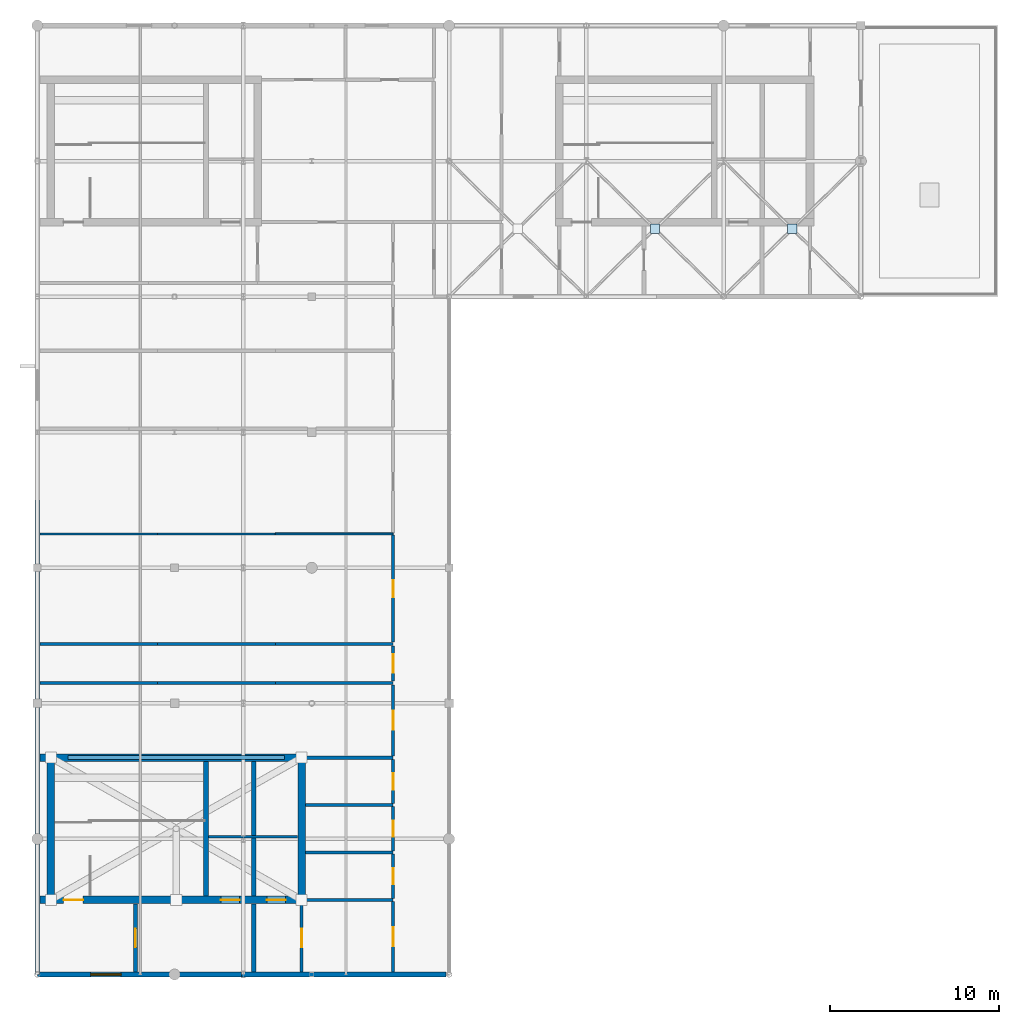
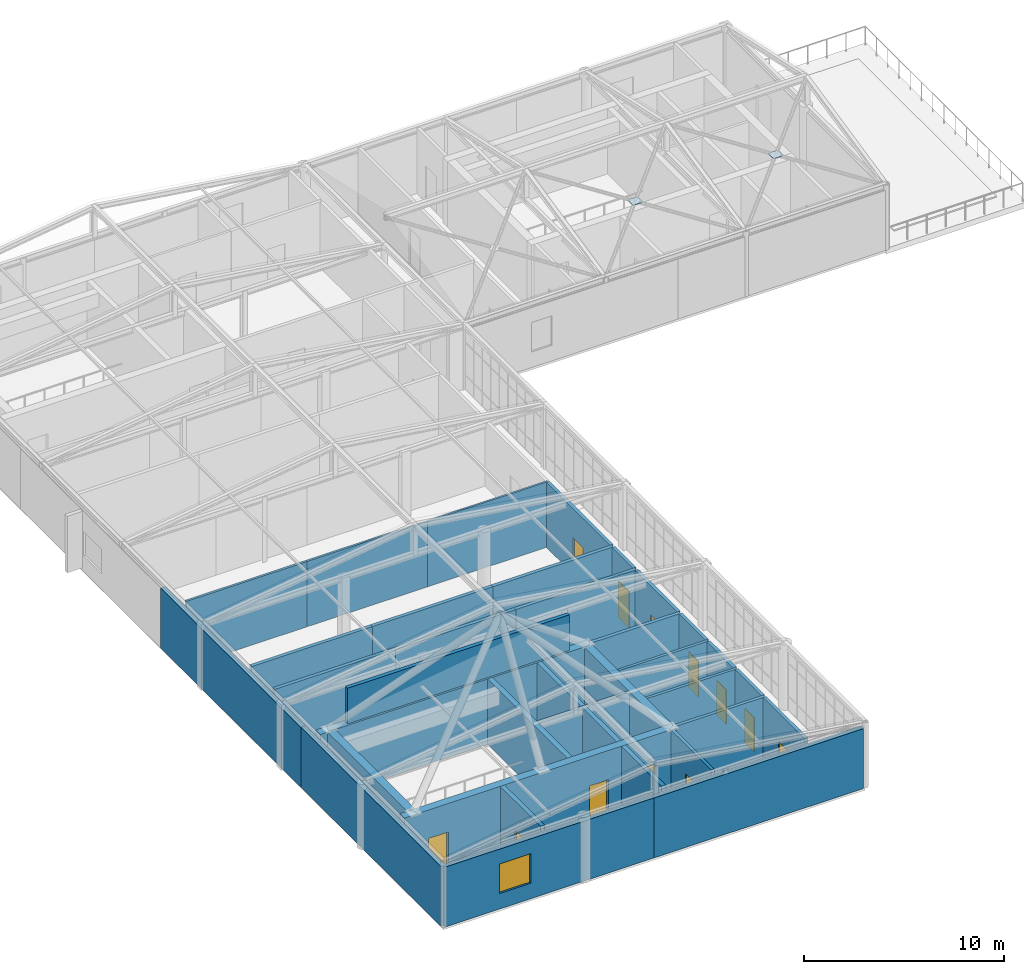
# One storey, part 18 of 21: 35 walls, 12 doors, 2 plates, 1 window, 13 openings.
"""IFC4 building model written with IfcOpenShell, lengths in metres."""

from ifc_helpers import new_model, si_unit, direction, frame, frame_2d, origin, origin_2d, place, context, subcontext, project, spatial, rectangle, extrude, material, layer, layer_set, type_object, element, fill, save


model = new_model("IFC4")

# Units and contexts
model_context = context("Model", 3, precision=1e-05, world=origin(), true_north=direction((0.0, 1.0)))
body_context = subcontext(model_context, "Body", "Model", "MODEL_VIEW")
ifc_project = project(units=[si_unit("LENGTHUNIT", "METRE"), si_unit("AREAUNIT", "SQUARE_METRE"), si_unit("VOLUMEUNIT", "CUBIC_METRE"), si_unit("PLANEANGLEUNIT", "RADIAN"), si_unit("MASSUNIT", "GRAM", prefix="KILO")], contexts=[model_context])

# Site, building, storey
site_placement = place(None, origin())
site = spatial("IfcSite", under=ifc_project, at=site_placement, CompositionType="ELEMENT")
building_placement = place(site_placement, origin())
building = spatial("IfcBuilding", under=site, at=building_placement, Name="Tarnveldt Square Police Headquarters", CompositionType="ELEMENT")
storey_placement = place(building_placement, frame((0.0, 0.0, 33.300048828125)))
storey = spatial("IfcBuildingStorey", under=building, at=storey_placement, Name="L07", CompositionType="ELEMENT", Elevation=33.300048828125)

# Plates
ifc_material_1 = material(Name="Steel 350W", Category="steel")
ifc_layer_1 = layer(ifc_material_1, 0.031982421875)
ifc_layer_set_1 = layer_set([ifc_layer_1], Name="Steel 350W")
plate_type = type_object("IfcPlateType", Name="PLT-GUS-32", PredefinedType="SHEET", material=ifc_layer_set_1)
for number, where, z_axis, x_axis, name in (
    (1, (52.64990234375, 100.0, 4.69384765625), (0.0, 0.0, 1.0), (1.0, 0.0, 0.0), "L07 Roof Wind Brace Crossing Gusset Plate 2"),
    (2, (60.75, 100.0, 4.69384765625), (0.0, 0.0, 1.0), (1.0, 0.0, 0.0), "L07 Roof Wind Brace Crossing Gusset Plate 3"),
):
    element("IfcPlate", number, at=place(storey_placement, frame(where, z_axis=z_axis, x_axis=x_axis)), inside=storey, type_object=plate_type, Name=name, PredefinedType="SHEET", context=body_context, shape_type="SweptSolid", body=[
        extrude(rectangle(XDim=0.550048828125, YDim=0.550048828125, at=origin_2d()), origin(), (0.0, 0.0, 1.0), 0.031982421875),
    ])

# Walls
ifc_material_2 = material(Name="Fire-rated Type X gypsum board on steel studs", Category="steel")
ifc_layer_2 = layer(ifc_material_2, 0.199951171875)
ifc_layer_set_2 = layer_set([ifc_layer_2], Name="Fire-rated Type X gypsum board on steel studs")
wall_type_1 = type_object("IfcWallType", Name="WL-ACOUST-200", PredefinedType="PARTITIONING", material=ifc_layer_set_2)
for number, where, z_axis, x_axis, name in (
    (3, (16.347900390625, 73.199951171875, 0.0), (0.0, 0.0, 1.0), (1.0, 0.0, 0.0), "L07 Interior Partition Wall 0722"),
    (4, (23.298583984375, 73.199951171875, 0.0), (0.0, 0.0, 1.0), (1.0, 0.0, 0.0), "L07 Interior Partition Wall 0723"),
    (5, (30.249267578125, 73.199951171875, 0.0), (0.0, 0.0, 1.0), (1.0, 0.0, 0.0), "L07 Interior Partition Wall 0724"),
    (6, (16.347900390625, 75.5, 0.0), (0.0, 0.0, 1.0), (1.0, 0.0, 0.0), "L07 Interior Partition Wall 0725"),
    (7, (23.298583984375, 75.5, 0.0), (0.0, 0.0, 1.0), (1.0, 0.0, 0.0), "L07 Interior Partition Wall 0726"),
    (8, (30.249267578125, 75.5, 0.0), (0.0, 0.0, 1.0), (1.0, 0.0, 0.0), "L07 Interior Partition Wall 0727"),
):
    element("IfcWall", number, at=place(storey_placement, frame(where, z_axis=z_axis, x_axis=x_axis)), inside=storey, type_object=wall_type_1, Name=name, PredefinedType="PARTITIONING", context=body_context, shape_type="SweptSolid", body=[
        extrude(rectangle(XDim=6.95068359375, YDim=0.199951171875, at=frame_2d((3.475341796875, 0.0))), origin(), (0.0, 0.0, 1.0), 3.97998046875),
    ])
wall_1_placement = place(storey_placement, frame((32.02490234375, 68.800048828125, 0.0), z_axis=(0.0, 0.0, 1.0), x_axis=(1.0, 0.0, 0.0)))
element("IfcWall", 9, at=wall_1_placement, inside=storey, type_object=wall_type_1, Name="L07 Interior Partition Wall 0746", PredefinedType="PARTITIONING", context=body_context, shape_type="SweptSolid", body=[
    extrude(rectangle(XDim=5.175048828125, YDim=0.199951171875, at=frame_2d((2.58740234375, 0.0))), origin(), (0.0, 0.0, 1.0), 3.97998046875),
])

# Wall, openings, doors
ifc_material_3 = material(Name="Concrete 50 MPa", Category="concrete")
ifc_layer_3 = layer(ifc_material_3, 0.449951171875)
ifc_layer_set_3 = layer_set([ifc_layer_3], Name="Concrete 50 MPa")
wall_type_2 = type_object("IfcWallType", Name="WL-CORE-450", PredefinedType="SHEAR", material=ifc_layer_set_3)
wall_2_placement = place(storey_placement, frame((16.360107421875, 60.39990234375, 0.0), z_axis=(0.0, 0.0, 1.0), x_axis=(1.0, 0.0, 0.0)))
wall_2 = element("IfcWall", 10, at=wall_2_placement, inside=storey, type_object=wall_type_2, Name="Core K1 South-West Command and Firefighting Core L07 South Shear Wall", PredefinedType="SHEAR", context=body_context, shape_type="SweptSolid", body=[
    extrude(rectangle(XDim=15.664794921875, YDim=0.449951171875, at=frame_2d((7.83251953125, 0.0))), origin(), (0.0, 0.0, 1.0), 3.97998046875),
])
opening_1_placement = place(wall_2_placement, frame((1.389892578125, 0.0, 0.0)))
opening_1 = element("IfcOpeningElement", 11, at=opening_1_placement, cuts=wall_2, Name="Opening D-ST1-L07", PredefinedType="OPENING", context=body_context, shape_type="SweptSolid", body=[
    extrude(rectangle(XDim=1.14990234375, YDim=2.25, at=frame_2d((0.574951171875, 1.125))), frame((0.0, 0.23486328125, 0.0), z_axis=(0.0, -1.0, 0.0), x_axis=(1.0, 0.0, 0.0)), (0.0, 0.0, 1.0), 0.469970703125),
])
opening_2_placement = place(wall_2_placement, frame((10.672607421875, 0.0, 0.0)))
opening_2 = element("IfcOpeningElement", 12, at=opening_2_placement, cuts=wall_2, Name="Opening LD-LF1-L07", PredefinedType="OPENING", context=body_context, shape_type="SweptSolid", body=[
    extrude(rectangle(XDim=1.10009765625, YDim=2.199951171875, at=frame_2d((0.550048828125, 1.10009765625))), frame((0.0, 0.23486328125, 0.0), z_axis=(0.0, -1.0, 0.0), x_axis=(1.0, 0.0, 0.0)), (0.0, 0.0, 1.0), 0.469970703125),
])
opening_3_placement = place(wall_2_placement, frame((13.387451171875, 0.0, 0.0)))
opening_3 = element("IfcOpeningElement", 13, at=opening_3_placement, cuts=wall_2, Name="Opening LD-LP1-L07", PredefinedType="OPENING", context=body_context, shape_type="SweptSolid", body=[
    extrude(rectangle(XDim=1.10009765625, YDim=2.199951171875, at=frame_2d((0.550048828125, 1.10009765625))), frame((0.0, 0.23486328125, 0.0), z_axis=(0.0, -1.0, 0.0), x_axis=(1.0, 0.0, 0.0)), (0.0, 0.0, 1.0), 0.469970703125),
])
ifc_material_4 = material(Name="Insulated hollow metal steel door leaf", Category="steel")
door_type_1 = type_object("IfcDoorType", Name="DR-FD90-1150", OperationType="NOTDEFINED", PredefinedType="DOOR", material=ifc_material_4)
door_1_placement = place(opening_1_placement, origin())
door_1 = element("IfcDoor", 14, at=door_1_placement, inside=storey, type_object=door_type_1, Name="Exit Stair ST1 L07 Fire Door", OperationType="SINGLE_SWING_LEFT", OverallHeight=2.25, OverallWidth=1.14990234375, PredefinedType="DOOR", context=body_context, shape_type="SweptSolid", body=[
    extrude(rectangle(XDim=1.14990234375, YDim=2.25, at=frame_2d((0.574951171875, 1.125))), frame((0.0, 0.02490234375, 0.0), z_axis=(0.0, -1.0, 0.0), x_axis=(1.0, 0.0, 0.0)), (0.0, 0.0, 1.0), 0.050048828125),
])
fill(opening_1, door_1)
door_type_2 = type_object("IfcDoorType", Name="DR-LD-1100", OperationType="DOUBLE_DOOR_SLIDING", PredefinedType="DOOR", material=ifc_material_1)
door_2_placement = place(opening_2_placement, frame((1.10009765625, 0.0, 0.0), z_axis=(0.0, 0.0, 1.0), x_axis=(-1.0, 0.0, 0.0)))
door_2 = element("IfcDoor", 15, at=door_2_placement, inside=storey, type_object=door_type_2, Name="Elevator LF1 L07 Sliding Landing Door", OperationType="DOUBLE_DOOR_SLIDING", OverallHeight=2.199951171875, OverallWidth=1.10009765625, PredefinedType="DOOR", context=body_context, shape_type="SweptSolid", body=[
    extrude(rectangle(XDim=1.10009765625, YDim=2.199951171875, at=frame_2d((0.550048828125, 1.10009765625))), frame((0.0, 0.02490234375, 0.0), z_axis=(0.0, -1.0, 0.0), x_axis=(1.0, 0.0, 0.0)), (0.0, 0.0, 1.0), 0.050048828125),
])
fill(opening_2, door_2)
door_3_placement = place(opening_3_placement, frame((1.10009765625, 0.0, 0.0), z_axis=(0.0, 0.0, 1.0), x_axis=(-1.0, 0.0, 0.0)))
door_3 = element("IfcDoor", 16, at=door_3_placement, inside=storey, type_object=door_type_2, Name="Elevator LP1 L07 Sliding Landing Door", OperationType="DOUBLE_DOOR_SLIDING", OverallHeight=2.199951171875, OverallWidth=1.10009765625, PredefinedType="DOOR", context=body_context, shape_type="SweptSolid", body=[
    extrude(rectangle(XDim=1.10009765625, YDim=2.199951171875, at=frame_2d((0.550048828125, 1.10009765625))), frame((0.0, 0.02490234375, 0.0), z_axis=(0.0, -1.0, 0.0), x_axis=(1.0, 0.0, 0.0)), (0.0, 0.0, 1.0), 0.050048828125),
])
fill(opening_3, door_3)

# Walls
wall_3_placement = place(storey_placement, frame((16.360107421875, 68.800048828125, 0.0), z_axis=(0.0, 0.0, 1.0), x_axis=(1.0, 0.0, 0.0)))
element("IfcWall", 17, at=wall_3_placement, inside=storey, type_object=wall_type_2, Name="Core K1 South-West Command and Firefighting Core L07 North Shear Wall", PredefinedType="SHEAR", context=body_context, shape_type="SweptSolid", body=[
    extrude(rectangle(XDim=15.664794921875, YDim=0.449951171875, at=frame_2d((7.83251953125, 0.0))), origin(), (0.0, 0.0, 1.0), 3.97998046875),
])
for number, where, z_axis, x_axis, name in (
    (18, (17.0, 60.625, 0.0), (0.0, 0.0, 1.0), (0.0, 1.0, 0.0), "Core K1 South-West Command and Firefighting Core L07 West Shear Wall"),
    (19, (31.800048828125, 60.625, 0.0), (0.0, 0.0, 1.0), (0.0, 1.0, 0.0), "Core K1 South-West Command and Firefighting Core L07 East Shear Wall"),
):
    element("IfcWall", number, at=place(storey_placement, frame(where, z_axis=z_axis, x_axis=x_axis)), inside=storey, type_object=wall_type_2, Name=name, PredefinedType="SHEAR", context=body_context, shape_type="SweptSolid", body=[
        extrude(rectangle(XDim=7.949951171875, YDim=0.449951171875, at=frame_2d((3.97509765625, 0.0))), origin(), (0.0, 0.0, 1.0), 3.97998046875),
    ])
wall_4_placement = place(storey_placement, frame((26.14990234375, 60.625, 0.0), z_axis=(0.0, 0.0, 1.0), x_axis=(0.0, 1.0, 0.0)))
element("IfcWall", 20, at=wall_4_placement, inside=storey, type_object=wall_type_2, Name="Core K1 South-West Command and Firefighting Core L07 Stair-Lift Divider Shear Wall", PredefinedType="SHEAR", context=body_context, shape_type="SweptSolid", body=[
    extrude(rectangle(XDim=7.949951171875, YDim=0.300048828125, at=frame_2d((3.97509765625, 0.0))), origin(), (0.0, 0.0, 1.0), 3.97998046875),
])
wall_5_placement = place(storey_placement, frame((28.97509765625, 60.625, 0.0), z_axis=(0.0, 0.0, 1.0), x_axis=(0.0, 1.0, 0.0)))
element("IfcWall", 21, at=wall_5_placement, inside=storey, type_object=wall_type_2, Name="Core K1 South-West Command and Firefighting Core L07 Dual-Lift Shaft Divider Wall", PredefinedType="SHEAR", context=body_context, shape_type="SweptSolid", body=[
    extrude(rectangle(XDim=7.949951171875, YDim=0.25, at=frame_2d((3.97509765625, 0.0))), origin(), (0.0, 0.0, 1.0), 3.97998046875),
])
ifc_material_5 = material(Name="Precast concrete 35 MPa", Category="concrete")
ifc_layer_4 = layer(ifc_material_5, 0.280029296875)
ifc_layer_set_4 = layer_set([ifc_layer_4], Name="Precast concrete 35 MPa")
wall_type_3 = type_object("IfcWallType", Name="WL-EXT-PC280", PredefinedType="SOLIDWALL", material=ifc_layer_set_4)
for number, where, z_axis, x_axis, name in (
    (22, (16.199951171875, 84.0, 0.0), (0.0, 0.0, 1.0), (0.0, -1.0, 0.0), "L07 Brutalist Exterior Wall 0253"),
    (23, (16.199951171875, 70.0, 0.0), (0.0, 0.0, 1.0), (0.0, -1.0, 0.0), "L07 Brutalist Exterior Wall 0254"),
):
    element("IfcWall", number, at=place(storey_placement, frame(where, z_axis=z_axis, x_axis=x_axis)), inside=storey, type_object=wall_type_3, Name=name, PredefinedType="SOLIDWALL", context=body_context, shape_type="SweptSolid", body=[
        extrude(rectangle(XDim=14.0, YDim=0.280029296875, at=frame_2d((7.0, 0.0))), origin(), (0.0, 0.0, 1.0), 3.655029296875),
    ])

# Wall, opening, window
wall_6_placement = place(storey_placement, frame((16.199951171875, 56.0, 0.0), z_axis=(0.0, 0.0, 1.0), x_axis=(1.0, 0.0, 0.0)))
wall_6 = element("IfcWall", 24, at=wall_6_placement, inside=storey, type_object=wall_type_3, Name="L07 Brutalist Exterior Wall 0255", PredefinedType="SOLIDWALL", context=body_context, shape_type="SweptSolid", body=[
    extrude(rectangle(XDim=12.06005859375, YDim=0.280029296875, at=frame_2d((6.030029296875, 0.0))), origin(), (0.0, 0.0, 1.0), 3.655029296875),
])
opening_4_placement = place(wall_6_placement, frame((3.14990234375, 0.0, 0.949951171875)))
opening_4 = element("IfcOpeningElement", 25, at=opening_4_placement, cuts=wall_6, Name="Opening W09", PredefinedType="OPENING", context=body_context, shape_type="SweptSolid", body=[
    extrude(rectangle(XDim=1.800048828125, YDim=1.800048828125, at=frame_2d((0.89990234375, 0.89990234375))), frame((0.0, 0.14990234375, 0.0), z_axis=(0.0, -1.0, 0.0), x_axis=(1.0, 0.0, 0.0)), (0.0, 0.0, 1.0), 0.300048828125),
])
ifc_material_6 = material(Name="Triple-glazed low-e laminated vision glass", Category="glass")
window_type = type_object("IfcWindowType", Name="WIN-DR-180x180", PartitioningType="DOUBLE_PANEL_VERTICAL", PredefinedType="WINDOW", material=ifc_material_6)
window_placement = place(opening_4_placement, origin())
window = element("IfcWindow", 26, at=window_placement, inside=storey, type_object=window_type, Name="L07 Deep-Reveal Brutalist Window 0129", OverallHeight=1.800048828125, OverallWidth=1.800048828125, PartitioningType="DOUBLE_PANEL_VERTICAL", PredefinedType="WINDOW", context=body_context, shape_type="SweptSolid", body=[
    extrude(rectangle(XDim=1.800048828125, YDim=1.800048828125, at=frame_2d((0.89990234375, 0.89990234375))), frame((0.0, 0.030029296875, 0.0), z_axis=(0.0, -1.0, 0.0), x_axis=(1.0, 0.0, 0.0)), (0.0, 0.0, 1.0), 0.06005859375),
])
fill(opening_4, window)

# Walls
wall_7_placement = place(storey_placement, frame((28.260009765625, 56.0, 0.0), z_axis=(0.0, 0.0, 1.0), x_axis=(1.0, 0.0, 0.0)))
element("IfcWall", 27, at=wall_7_placement, inside=storey, type_object=wall_type_3, Name="L07 Brutalist Exterior Wall 0256", PredefinedType="SOLIDWALL", context=body_context, shape_type="SweptSolid", body=[
    extrude(rectangle(XDim=12.06005859375, YDim=0.280029296875, at=frame_2d((6.030029296875, 0.0))), origin(), (0.0, 0.0, 1.0), 3.655029296875),
])
ifc_layer_5 = layer(ifc_material_2, 0.179931640625)
ifc_layer_set_5 = layer_set([ifc_layer_5], Name="Fire-rated Type X gypsum board on steel studs")
wall_type_4 = type_object("IfcWallType", Name="WL-FIRE-180", PredefinedType="PARTITIONING", material=ifc_layer_set_5)
wall_8_placement = place(storey_placement, frame((32.02490234375, 60.39990234375, 0.0), z_axis=(0.0, 0.0, 1.0), x_axis=(1.0, 0.0, 0.0)))
element("IfcWall", 28, at=wall_8_placement, inside=storey, type_object=wall_type_4, Name="L07 Interior Partition Wall 0743", PredefinedType="PARTITIONING", context=body_context, shape_type="SweptSolid", body=[
    extrude(rectangle(XDim=5.175048828125, YDim=0.179931640625, at=frame_2d((2.58740234375, 0.0))), origin(), (0.0, 0.0, 1.0), 3.97998046875),
])

# Wall, opening, door
wall_9_placement = place(storey_placement, frame((31.800048828125, 56.14794921875, 0.0), z_axis=(0.0, 0.0, 1.0), x_axis=(0.0, 1.0, 0.0)))
wall_9 = element("IfcWall", 29, at=wall_9_placement, inside=storey, type_object=wall_type_4, Name="L07 Interior Partition Wall 0754", PredefinedType="PARTITIONING", context=body_context, shape_type="SweptSolid", body=[
    extrude(rectangle(XDim=4.01904296875, YDim=0.179931640625, at=frame_2d((2.009521484375, 0.0))), origin(), (0.0, 0.0, 1.0), 3.97998046875),
])
opening_5_placement = place(wall_9_placement, frame((1.45947265625, 0.0, 0.0)))
opening_5 = element("IfcOpeningElement", 30, at=opening_5_placement, cuts=wall_9, Name="Opening D15", PredefinedType="OPENING", context=body_context, shape_type="SweptSolid", body=[
    extrude(rectangle(XDim=1.10009765625, YDim=2.199951171875, at=frame_2d((0.550048828125, 1.10009765625))), frame((0.0, 0.099853515625, 0.0), z_axis=(0.0, -1.0, 0.0), x_axis=(1.0, 0.0, 0.0)), (0.0, 0.0, 1.0), 0.199951171875),
])
door_type_3 = type_object("IfcDoorType", Name="DR-FD60-1100", OperationType="NOTDEFINED", PredefinedType="DOOR", material=ifc_material_4)
door_4_placement = place(opening_5_placement, frame((1.10009765625, 0.0, 0.0), z_axis=(0.0, 0.0, 1.0), x_axis=(-1.0, 0.0, 0.0)))
door_4 = element("IfcDoor", 31, at=door_4_placement, inside=storey, type_object=door_type_3, Name="Passenger Lift Lobby K1-L07 Door", OperationType="SINGLE_SWING_LEFT", OverallHeight=2.199951171875, OverallWidth=1.10009765625, PredefinedType="DOOR", context=body_context, shape_type="SweptSolid", body=[
    extrude(rectangle(XDim=1.10009765625, YDim=2.199951171875, at=frame_2d((0.550048828125, 1.10009765625))), frame((0.0, 0.02490234375, 0.0), z_axis=(0.0, -1.0, 0.0), x_axis=(1.0, 0.0, 0.0)), (0.0, 0.0, 1.0), 0.050048828125),
])
fill(opening_5, door_4)

wall_10_placement = place(storey_placement, frame((37.199951171875, 56.14794921875, 0.0), z_axis=(0.0, 0.0, 1.0), x_axis=(0.0, 1.0, 0.0)))
wall_10 = element("IfcWall", 32, at=wall_10_placement, inside=storey, type_object=wall_type_4, Name="L07 Interior Partition Wall 0756", PredefinedType="PARTITIONING", context=body_context, shape_type="SweptSolid", body=[
    extrude(rectangle(XDim=4.154052734375, YDim=0.179931640625, at=frame_2d((2.0771484375, 0.0))), origin(), (0.0, 0.0, 1.0), 3.97998046875),
])
opening_6_placement = place(wall_10_placement, frame((1.527099609375, 0.0, 0.0)))
opening_6 = element("IfcOpeningElement", 33, at=opening_6_placement, cuts=wall_10, Name="Opening D15", PredefinedType="OPENING", context=body_context, shape_type="SweptSolid", body=[
    extrude(rectangle(XDim=1.10009765625, YDim=2.199951171875, at=frame_2d((0.550048828125, 1.10009765625))), frame((0.0, 0.099853515625, 0.0), z_axis=(0.0, -1.0, 0.0), x_axis=(1.0, 0.0, 0.0)), (0.0, 0.0, 1.0), 0.199951171875),
])
door_5_placement = place(opening_6_placement, origin())
door_5 = element("IfcDoor", 34, at=door_5_placement, inside=storey, type_object=door_type_3, Name="Core K1 East Vestibule L07 Door", OperationType="SINGLE_SWING_RIGHT", OverallHeight=2.199951171875, OverallWidth=1.10009765625, PredefinedType="DOOR", context=body_context, shape_type="SweptSolid", body=[
    extrude(rectangle(XDim=1.10009765625, YDim=2.199951171875, at=frame_2d((0.550048828125, 1.10009765625))), frame((0.0, 0.02490234375, 0.0), z_axis=(0.0, -1.0, 0.0), x_axis=(1.0, 0.0, 0.0)), (0.0, 0.0, 1.0), 0.050048828125),
])
fill(opening_6, door_5)

wall_11_placement = place(storey_placement, frame((37.199951171875, 60.498046875, 0.0), z_axis=(0.0, 0.0, 1.0), x_axis=(0.0, 1.0, 0.0)))
wall_11 = element("IfcWall", 35, at=wall_11_placement, inside=storey, type_object=wall_type_4, Name="L07 Interior Partition Wall 0757", PredefinedType="PARTITIONING", context=body_context, shape_type="SweptSolid", body=[
    extrude(rectangle(XDim=2.614013671875, YDim=0.179931640625, at=frame_2d((1.30712890625, 0.0))), origin(), (0.0, 0.0, 1.0), 3.97998046875),
])
opening_7_placement = place(wall_11_placement, frame((0.83203125, 0.0, 0.0)))
opening_7 = element("IfcOpeningElement", 36, at=opening_7_placement, cuts=wall_11, Name="Opening D02", PredefinedType="OPENING", context=body_context, shape_type="SweptSolid", body=[
    extrude(rectangle(XDim=0.949951171875, YDim=2.10009765625, at=frame_2d((0.47509765625, 1.050048828125))), frame((0.0, 0.099853515625, 0.0), z_axis=(0.0, -1.0, 0.0), x_axis=(1.0, 0.0, 0.0)), (0.0, 0.0, 1.0), 0.199951171875),
])
ifc_material_7 = material(Name="Solid core architectural birch door leaf", Category="wood")
door_type_4 = type_object("IfcDoorType", Name="DR-WC-950", OperationType="NOTDEFINED", PredefinedType="DOOR", material=ifc_material_7)
door_6_placement = place(opening_7_placement, origin())
door_6 = element("IfcDoor", 37, at=door_6_placement, inside=storey, type_object=door_type_4, Name="Men Washroom L07 Door", OperationType="SINGLE_SWING_LEFT", OverallHeight=2.10009765625, OverallWidth=0.949951171875, PredefinedType="DOOR", context=body_context, shape_type="SweptSolid", body=[
    extrude(rectangle(XDim=0.949951171875, YDim=2.10009765625, at=frame_2d((0.47509765625, 1.050048828125))), frame((0.0, 0.02490234375, 0.0), z_axis=(0.0, -1.0, 0.0), x_axis=(1.0, 0.0, 0.0)), (0.0, 0.0, 1.0), 0.050048828125),
])
fill(opening_7, door_6)

wall_12_placement = place(storey_placement, frame((37.199951171875, 63.2880859375, 0.0), z_axis=(0.0, 0.0, 1.0), x_axis=(0.0, 1.0, 0.0)))
wall_12 = element("IfcWall", 38, at=wall_12_placement, inside=storey, type_object=wall_type_4, Name="L07 Interior Partition Wall 0758", PredefinedType="PARTITIONING", context=body_context, shape_type="SweptSolid", body=[
    extrude(rectangle(XDim=2.6240234375, YDim=0.179931640625, at=frame_2d((1.31201171875, 0.0))), origin(), (0.0, 0.0, 1.0), 3.97998046875),
])
opening_8_placement = place(wall_12_placement, frame((0.8369140625, 0.0, 0.0)))
opening_8 = element("IfcOpeningElement", 39, at=opening_8_placement, cuts=wall_12, Name="Opening D02", PredefinedType="OPENING", context=body_context, shape_type="SweptSolid", body=[
    extrude(rectangle(XDim=0.949951171875, YDim=2.10009765625, at=frame_2d((0.47509765625, 1.050048828125))), frame((0.0, 0.099853515625, 0.0), z_axis=(0.0, -1.0, 0.0), x_axis=(1.0, 0.0, 0.0)), (0.0, 0.0, 1.0), 0.199951171875),
])
door_7_placement = place(opening_8_placement, origin())
door_7 = element("IfcDoor", 40, at=door_7_placement, inside=storey, type_object=door_type_4, Name="Women Washroom L07 Door", OperationType="SINGLE_SWING_RIGHT", OverallHeight=2.10009765625, OverallWidth=0.949951171875, PredefinedType="DOOR", context=body_context, shape_type="SweptSolid", body=[
    extrude(rectangle(XDim=0.949951171875, YDim=2.10009765625, at=frame_2d((0.47509765625, 1.050048828125))), frame((0.0, 0.02490234375, 0.0), z_axis=(0.0, -1.0, 0.0), x_axis=(1.0, 0.0, 0.0)), (0.0, 0.0, 1.0), 0.050048828125),
])
fill(opening_8, door_7)

wall_13_placement = place(storey_placement, frame((37.199951171875, 66.087890625, 0.0), z_axis=(0.0, 0.0, 1.0), x_axis=(0.0, 1.0, 0.0)))
wall_13 = element("IfcWall", 41, at=wall_13_placement, inside=storey, type_object=wall_type_4, Name="L07 Interior Partition Wall 0759", PredefinedType="PARTITIONING", context=body_context, shape_type="SweptSolid", body=[
    extrude(rectangle(XDim=2.60400390625, YDim=0.179931640625, at=frame_2d((1.302001953125, 0.0))), origin(), (0.0, 0.0, 1.0), 3.97998046875),
])
opening_9_placement = place(wall_13_placement, frame((0.802001953125, 0.0, 0.0)))
opening_9 = element("IfcOpeningElement", 42, at=opening_9_placement, cuts=wall_13, Name="Opening D04", PredefinedType="OPENING", context=body_context, shape_type="SweptSolid", body=[
    extrude(rectangle(XDim=1.0, YDim=2.14990234375, at=frame_2d((0.5, 1.074951171875))), frame((0.0, 0.099853515625, 0.0), z_axis=(0.0, -1.0, 0.0), x_axis=(1.0, 0.0, 0.0)), (0.0, 0.0, 1.0), 0.199951171875),
])
door_type_5 = type_object("IfcDoorType", Name="DR-ACC-1000", OperationType="NOTDEFINED", PredefinedType="DOOR", material=ifc_material_7)
door_8_placement = place(opening_9_placement, origin())
door_8 = element("IfcDoor", 43, at=door_8_placement, inside=storey, type_object=door_type_5, Name="Accessible WC L07 Door", OperationType="SINGLE_SWING_LEFT", OverallHeight=2.14990234375, OverallWidth=1.0, PredefinedType="DOOR", context=body_context, shape_type="SweptSolid", body=[
    extrude(rectangle(XDim=1.0, YDim=2.14990234375, at=frame_2d((0.5, 1.074951171875))), frame((0.0, 0.02490234375, 0.0), z_axis=(0.0, -1.0, 0.0), x_axis=(1.0, 0.0, 0.0)), (0.0, 0.0, 1.0), 0.050048828125),
])
fill(opening_9, door_8)

wall_14_placement = place(storey_placement, frame((37.199951171875, 68.907958984375, 0.0), z_axis=(0.0, 0.0, 1.0), x_axis=(0.0, 1.0, 0.0)))
wall_14 = element("IfcWall", 44, at=wall_14_placement, inside=storey, type_object=wall_type_4, Name="L07 Interior Partition Wall 0760", PredefinedType="PARTITIONING", context=body_context, shape_type="SweptSolid", body=[
    extrude(rectangle(XDim=4.18408203125, YDim=0.179931640625, at=frame_2d((2.092041015625, 0.0))), origin(), (0.0, 0.0, 1.0), 3.97998046875),
])
opening_10_placement = place(wall_14_placement, frame((1.5419921875, 0.0, 0.0)))
opening_10 = element("IfcOpeningElement", 45, at=opening_10_placement, cuts=wall_14, Name="Opening D07", PredefinedType="OPENING", context=body_context, shape_type="SweptSolid", body=[
    extrude(rectangle(XDim=1.10009765625, YDim=2.199951171875, at=frame_2d((0.550048828125, 1.10009765625))), frame((0.0, 0.099853515625, 0.0), z_axis=(0.0, -1.0, 0.0), x_axis=(1.0, 0.0, 0.0)), (0.0, 0.0, 1.0), 0.199951171875),
])
door_type_6 = type_object("IfcDoorType", Name="DR-INT-1100", OperationType="NOTDEFINED", PredefinedType="DOOR", material=ifc_material_7)
door_9_placement = place(opening_10_placement, origin())
door_9 = element("IfcDoor", 46, at=door_9_placement, inside=storey, type_object=door_type_6, Name="Police Services Board Briefing Room Door", OperationType="SINGLE_SWING_RIGHT", OverallHeight=2.199951171875, OverallWidth=1.10009765625, PredefinedType="DOOR", context=body_context, shape_type="SweptSolid", body=[
    extrude(rectangle(XDim=1.10009765625, YDim=2.199951171875, at=frame_2d((0.550048828125, 1.10009765625))), frame((0.0, 0.02490234375, 0.0), z_axis=(0.0, -1.0, 0.0), x_axis=(1.0, 0.0, 0.0)), (0.0, 0.0, 1.0), 0.050048828125),
])
fill(opening_10, door_9)

wall_15_placement = place(storey_placement, frame((37.199951171875, 73.30810546875, 0.0), z_axis=(0.0, 0.0, 1.0), x_axis=(0.0, 1.0, 0.0)))
wall_15 = element("IfcWall", 47, at=wall_15_placement, inside=storey, type_object=wall_type_4, Name="L07 Interior Partition Wall 0761", PredefinedType="PARTITIONING", context=body_context, shape_type="SweptSolid", body=[
    extrude(rectangle(XDim=2.083984375, YDim=0.179931640625, at=frame_2d((1.0419921875, 0.0))), origin(), (0.0, 0.0, 1.0), 3.97998046875),
])
opening_11_placement = place(wall_15_placement, frame((0.491943359375, 0.0, 0.0)))
opening_11 = element("IfcOpeningElement", 48, at=opening_11_placement, cuts=wall_15, Name="Opening D07", PredefinedType="OPENING", context=body_context, shape_type="SweptSolid", body=[
    extrude(rectangle(XDim=1.10009765625, YDim=2.199951171875, at=frame_2d((0.550048828125, 1.10009765625))), frame((0.0, 0.099853515625, 0.0), z_axis=(0.0, -1.0, 0.0), x_axis=(1.0, 0.0, 0.0)), (0.0, 0.0, 1.0), 0.199951171875),
])
door_10_placement = place(opening_11_placement, origin())
door_10 = element("IfcDoor", 49, at=door_10_placement, inside=storey, type_object=door_type_6, Name="Chief of Police Executive Command Suite Door", OperationType="SINGLE_SWING_LEFT", OverallHeight=2.199951171875, OverallWidth=1.10009765625, PredefinedType="DOOR", context=body_context, shape_type="SweptSolid", body=[
    extrude(rectangle(XDim=1.10009765625, YDim=2.199951171875, at=frame_2d((0.550048828125, 1.10009765625))), frame((0.0, 0.02490234375, 0.0), z_axis=(0.0, -1.0, 0.0), x_axis=(1.0, 0.0, 0.0)), (0.0, 0.0, 1.0), 0.050048828125),
])
fill(opening_11, door_10)

wall_16_placement = place(storey_placement, frame((37.199951171875, 75.60791015625, 0.0), z_axis=(0.0, 0.0, 1.0), x_axis=(0.0, 1.0, 0.0)))
wall_16 = element("IfcWall", 50, at=wall_16_placement, inside=storey, type_object=wall_type_4, Name="L07 Interior Partition Wall 0762", PredefinedType="PARTITIONING", context=body_context, shape_type="SweptSolid", body=[
    extrude(rectangle(XDim=6.3291015625, YDim=0.179931640625, at=frame_2d((3.16455078125, 0.0))), origin(), (0.0, 0.0, 1.0), 3.97998046875),
])
opening_12_placement = place(wall_16_placement, frame((2.66455078125, 0.0, 0.0)))
opening_12 = element("IfcOpeningElement", 51, at=opening_12_placement, cuts=wall_16, Name="Opening D05", PredefinedType="OPENING", context=body_context, shape_type="SweptSolid", body=[
    extrude(rectangle(XDim=1.0, YDim=2.199951171875, at=frame_2d((0.5, 1.10009765625))), frame((0.0, 0.099853515625, 0.0), z_axis=(0.0, -1.0, 0.0), x_axis=(1.0, 0.0, 0.0)), (0.0, 0.0, 1.0), 0.199951171875),
])
door_type_7 = type_object("IfcDoorType", Name="DR-INT-1000", OperationType="NOTDEFINED", PredefinedType="DOOR", material=ifc_material_7)
door_11_placement = place(opening_12_placement, origin())
door_11 = element("IfcDoor", 52, at=door_11_placement, inside=storey, type_object=door_type_7, Name="Deputy Chief Field Operations Office Door", OperationType="SINGLE_SWING_RIGHT", OverallHeight=2.199951171875, OverallWidth=1.0, PredefinedType="DOOR", context=body_context, shape_type="SweptSolid", body=[
    extrude(rectangle(XDim=1.0, YDim=2.199951171875, at=frame_2d((0.5, 1.10009765625))), frame((0.0, 0.02490234375, 0.0), z_axis=(0.0, -1.0, 0.0), x_axis=(1.0, 0.0, 0.0)), (0.0, 0.0, 1.0), 0.050048828125),
])
fill(opening_12, door_11)

ifc_material_8 = material(Name="Concrete block masonry 15 MPa", Category="masonry")
ifc_layer_6 = layer(ifc_material_8, 0.239990234375)
ifc_layer_set_6 = layer_set([ifc_layer_6], Name="Concrete block masonry 15 MPa")
wall_type_5 = type_object("IfcWallType", Name="WL-FIRE-240", PredefinedType="PARTITIONING", material=ifc_layer_set_6)
wall_17_placement = place(storey_placement, frame((22.0, 56.14794921875, 0.0), z_axis=(0.0, 0.0, 1.0), x_axis=(0.0, 1.0, 0.0)))
wall_17 = element("IfcWall", 53, at=wall_17_placement, inside=storey, type_object=wall_type_5, Name="L07 Interior Partition Wall 0751", PredefinedType="PARTITIONING", context=body_context, shape_type="SweptSolid", body=[
    extrude(rectangle(XDim=4.01904296875, YDim=0.239990234375, at=frame_2d((2.009521484375, 0.0))), origin(), (0.0, 0.0, 1.0), 3.97998046875),
])
opening_13_placement = place(wall_17_placement, frame((1.45947265625, 0.0, 0.0)))
opening_13 = element("IfcOpeningElement", 54, at=opening_13_placement, cuts=wall_17, Name="Opening D15", PredefinedType="OPENING", context=body_context, shape_type="SweptSolid", body=[
    extrude(rectangle(XDim=1.10009765625, YDim=2.199951171875, at=frame_2d((0.550048828125, 1.10009765625))), frame((0.0, 0.1298828125, 0.0), z_axis=(0.0, -1.0, 0.0), x_axis=(1.0, 0.0, 0.0)), (0.0, 0.0, 1.0), 0.260009765625),
])
door_12_placement = place(opening_13_placement, frame((1.10009765625, 0.0, 0.0), z_axis=(0.0, 0.0, 1.0), x_axis=(-1.0, 0.0, 0.0)))
door_12 = element("IfcDoor", 55, at=door_12_placement, inside=storey, type_object=door_type_3, Name="Core Stair Lobby K1-L07 Door", OperationType="SINGLE_SWING_LEFT", OverallHeight=2.199951171875, OverallWidth=1.10009765625, PredefinedType="DOOR", context=body_context, shape_type="SweptSolid", body=[
    extrude(rectangle(XDim=1.10009765625, YDim=2.199951171875, at=frame_2d((0.550048828125, 1.10009765625))), frame((0.0, 0.02490234375, 0.0), z_axis=(0.0, -1.0, 0.0), x_axis=(1.0, 0.0, 0.0)), (0.0, 0.0, 1.0), 0.050048828125),
])
fill(opening_13, door_12)

# Walls
wall_18_placement = place(storey_placement, frame((28.97509765625, 56.14794921875, 0.0), z_axis=(0.0, 0.0, 1.0), x_axis=(0.0, 1.0, 0.0)))
element("IfcWall", 56, at=wall_18_placement, inside=storey, type_object=wall_type_5, Name="L07 Interior Partition Wall 0752", PredefinedType="PARTITIONING", context=body_context, shape_type="SweptSolid", body=[
    extrude(rectangle(XDim=4.01904296875, YDim=0.239990234375, at=frame_2d((2.009521484375, 0.0))), origin(), (0.0, 0.0, 1.0), 3.97998046875),
])
ifc_layer_7 = layer(ifc_material_5, 0.219970703125)
ifc_layer_set_7 = layer_set([ifc_layer_7], Name="Precast concrete 35 MPa")
wall_type_6 = type_object("IfcWallType", Name="WL-PAR-220", PredefinedType="PARAPET", material=ifc_layer_set_7)
wall_19_placement = place(storey_placement, frame((18.0, 68.800048828125, 3.97998046875), z_axis=(0.0, 0.0, 1.0), x_axis=(1.0, 0.0, 0.0)))
element("IfcWall", 57, at=wall_19_placement, inside=storey, type_object=wall_type_6, Name="Core K1 Rooftop Radio Plant Screen Parapet", PredefinedType="PARAPET", context=body_context, shape_type="SweptSolid", body=[
    extrude(rectangle(XDim=12.800048828125, YDim=0.219970703125, at=frame_2d((6.39990234375, 0.0))), origin(), (0.0, 0.0, 1.0), 2.169921875),
])
ifc_layer_8 = layer(ifc_material_2, 0.110107421875)
ifc_layer_set_8 = layer_set([ifc_layer_8], Name="Fire-rated Type X gypsum board on steel studs")
wall_type_7 = type_object("IfcWallType", Name="WL-PART-110", PredefinedType="PARTITIONING", material=ifc_layer_set_8)
wall_20_placement = place(storey_placement, frame((30.249267578125, 82.0, 0.0), z_axis=(0.0, 0.0, 1.0), x_axis=(1.0, 0.0, 0.0)))
element("IfcWall", 58, at=wall_20_placement, inside=storey, type_object=wall_type_7, Name="L07 Interior Partition Wall 0730", PredefinedType="PARTITIONING", context=body_context, shape_type="SweptSolid", body=[
    extrude(rectangle(XDim=6.95068359375, YDim=0.110107421875, at=frame_2d((3.475341796875, 0.0))), origin(), (0.0, 0.0, 1.0), 3.97998046875),
])
ifc_layer_9 = layer(ifc_material_2, 0.1201171875)
ifc_layer_set_9 = layer_set([ifc_layer_9], Name="Fire-rated Type X gypsum board on steel studs")
wall_type_8 = type_object("IfcWallType", Name="WL-PART-120", PredefinedType="PARTITIONING", material=ifc_layer_set_9)
wall_21_placement = place(storey_placement, frame((23.298583984375, 82.0, 0.0), z_axis=(0.0, 0.0, 1.0), x_axis=(1.0, 0.0, 0.0)))
element("IfcWall", 59, at=wall_21_placement, inside=storey, type_object=wall_type_8, Name="L07 Interior Partition Wall 0729", PredefinedType="PARTITIONING", context=body_context, shape_type="SweptSolid", body=[
    extrude(rectangle(XDim=6.95068359375, YDim=0.1201171875, at=frame_2d((3.475341796875, 0.0))), origin(), (0.0, 0.0, 1.0), 3.97998046875),
])
ifc_layer_10 = layer(ifc_material_2, 0.1298828125)
ifc_layer_set_10 = layer_set([ifc_layer_10], Name="Fire-rated Type X gypsum board on steel studs")
wall_type_9 = type_object("IfcWallType", Name="WL-PART-130", PredefinedType="PARTITIONING", material=ifc_layer_set_10)
wall_22_placement = place(storey_placement, frame((16.347900390625, 82.0, 0.0), z_axis=(0.0, 0.0, 1.0), x_axis=(1.0, 0.0, 0.0)))
element("IfcWall", 60, at=wall_22_placement, inside=storey, type_object=wall_type_9, Name="L07 Interior Partition Wall 0728", PredefinedType="PARTITIONING", context=body_context, shape_type="SweptSolid", body=[
    extrude(rectangle(XDim=6.95068359375, YDim=0.1298828125, at=frame_2d((3.475341796875, 0.0))), origin(), (0.0, 0.0, 1.0), 3.97998046875),
])
ifc_layer_11 = layer(ifc_material_2, 0.14990234375)
ifc_layer_set_11 = layer_set([ifc_layer_11], Name="Fire-rated Type X gypsum board on steel studs")
wall_type_10 = type_object("IfcWallType", Name="WL-SHAFT-150", PredefinedType="PARTITIONING", material=ifc_layer_set_11)
wall_23_placement = place(storey_placement, frame((26.300048828125, 64.1201171875, 0.0), z_axis=(0.0, 0.0, 1.0), x_axis=(1.0, 0.0, 0.0)))
element("IfcWall", 61, at=wall_23_placement, inside=storey, type_object=wall_type_10, Name="K1 L07 Elevator Shaft Back Wall", PredefinedType="PARTITIONING", context=body_context, shape_type="SweptSolid", body=[
    extrude(rectangle(XDim=5.25, YDim=0.14990234375, at=frame_2d((2.625, 0.0))), origin(), (0.0, 0.0, 1.0), 3.97998046875),
])
ifc_layer_12 = layer(ifc_material_8, 0.159912109375)
ifc_layer_set_12 = layer_set([ifc_layer_12], Name="Concrete block masonry 15 MPa")
wall_type_11 = type_object("IfcWallType", Name="WL-WET-160", PredefinedType="PARTITIONING", material=ifc_layer_set_12)
for number, where, z_axis, x_axis, name in (
    (62, (32.032958984375, 63.199951171875, 0.0), (0.0, 0.0, 1.0), (1.0, 0.0, 0.0), "L07 Interior Partition Wall 0744"),
    (63, (32.032958984375, 66.0, 0.0), (0.0, 0.0, 1.0), (1.0, 0.0, 0.0), "L07 Interior Partition Wall 0745"),
):
    element("IfcWall", number, at=place(storey_placement, frame(where, z_axis=z_axis, x_axis=x_axis)), inside=storey, type_object=wall_type_11, Name=name, PredefinedType="PARTITIONING", context=body_context, shape_type="SweptSolid", body=[
        extrude(rectangle(XDim=5.1669921875, YDim=0.159912109375, at=frame_2d((2.58349609375, 0.0))), origin(), (0.0, 0.0, 1.0), 3.97998046875),
    ])

save(model, "model.ifc")
